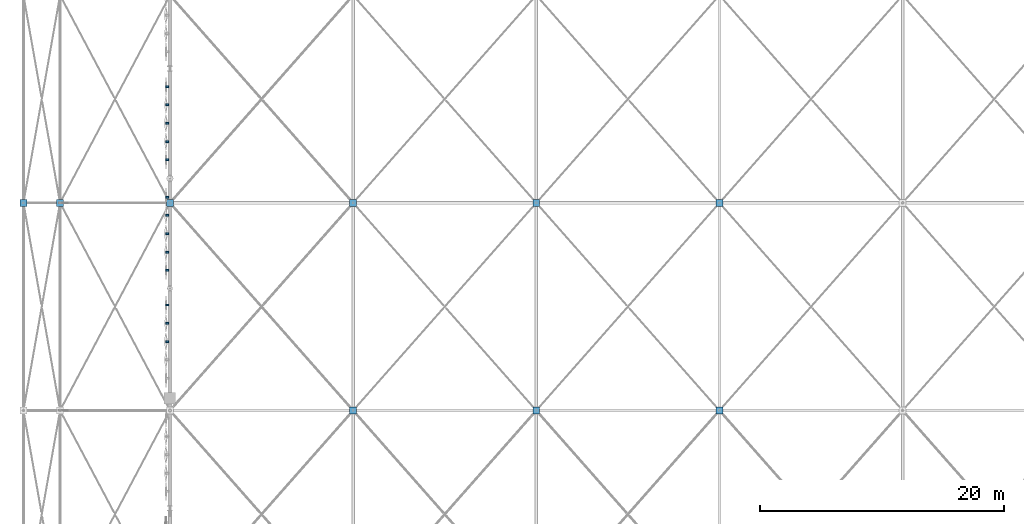
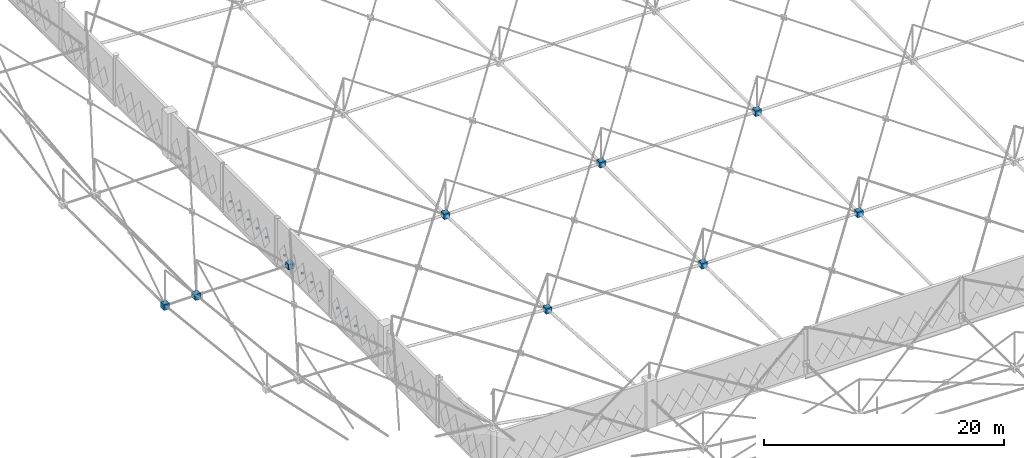
# One storey, part 205 of 224: 22 discrete accessories.
"""IFC4 building model written with IfcOpenShell, lengths in metres."""

from ifc_helpers import new_model, si_unit, direction, frame, origin, origin_2d, place, context, subcontext, project, spatial, rectangle, extrude, material, type_object, element, save


model = new_model("IFC4")

# Units and contexts
model_context = context("Model", 3, precision=1e-05, world=origin(), true_north=direction((0.0, 1.0)))
body_context = subcontext(model_context, "Body", "Model", "MODEL_VIEW")
ifc_project = project(units=[si_unit("LENGTHUNIT", "METRE"), si_unit("AREAUNIT", "SQUARE_METRE"), si_unit("VOLUMEUNIT", "CUBIC_METRE"), si_unit("PLANEANGLEUNIT", "RADIAN"), si_unit("MASSUNIT", "GRAM", prefix="KILO")], contexts=[model_context])

# Site, building, storey
site_placement = place(None, origin())
site = spatial("IfcSite", under=ifc_project, at=site_placement, CompositionType="ELEMENT")
building_placement = place(site_placement, origin())
building = spatial("IfcBuilding", under=site, at=building_placement, Name="Qamarlyn Nura Convention Centre", CompositionType="ELEMENT")
storey_placement = place(building_placement, frame((0.0, 0.0, 10.800048828125)))
storey = spatial("IfcBuildingStorey", under=building, at=storey_placement, Name="L02", CompositionType="ELEMENT", Elevation=10.800048828125)

# Discrete accessories
ifc_material_1 = material(Name="Pearl-white PVDF steel ASTM A500 Grade C", Category="steel")
discrete_accessory_type_1 = type_object("IfcDiscreteAccessoryType", Name="ACC-SF-NODE", PredefinedType="USERDEFINED", material=ifc_material_1)
for number, where, z_axis, x_axis, name in (
    (1, (-12.0, 52.0, 0.730712890625), (0.0, 0.0, 1.0), (1.0, 0.0, 0.0), "Cast space frame node BC-0-4"),
    (2, (-9.0, 52.0, 0.7255859375), (0.0, 0.0, 1.0), (1.0, 0.0, 0.0), "Cast space frame node BC-1-4"),
    (3, (0.0, 52.0, 0.6572265625), (0.0, 0.0, 1.0), (1.0, 0.0, 0.0), "Cast space frame node BC-2-4"),
    (4, (15.0, 35.0, 1.200439453125), (0.0, 0.0, 1.0), (1.0, 0.0, 0.0), "Cast space frame node BC-3-3"),
    (5, (15.0, 52.0, 0.521240234375), (0.0, 0.0, 1.0), (1.0, 0.0, 0.0), "Cast space frame node BC-3-4"),
    (6, (30.0, 35.0, 0.548828125), (0.0, 0.0, 1.0), (1.0, 0.0, 0.0), "Cast space frame node BC-4-3"),
    (7, (30.0, 52.0, 0.52001953125), (0.0, 0.0, 1.0), (1.0, 0.0, 0.0), "Cast space frame node BC-4-4"),
    (8, (45.0, 35.0, 0.52001953125), (0.0, 0.0, 1.0), (1.0, 0.0, 0.0), "Cast space frame node BC-5-3"),
    (9, (45.0, 52.0, 0.52001953125), (0.0, 0.0, 1.0), (1.0, 0.0, 0.0), "Cast space frame node BC-5-4"),
):
    element("IfcDiscreteAccessory", number, at=place(storey_placement, frame(where, z_axis=z_axis, x_axis=x_axis)), inside=storey, type_object=discrete_accessory_type_1, Name=name, ObjectType="SPACE FRAME NODE", PredefinedType="USERDEFINED", context=body_context, shape_type="SweptSolid", body=[
        extrude(rectangle(XDim=0.56005859375, YDim=0.56005859375, at=origin_2d()), origin(), (0.0, 0.0, 1.0), 0.56005859375),
    ])
ifc_material_2 = material(Name="Marine Grade 316 stainless steel", Category="steel")
discrete_accessory_type_2 = type_object("IfcDiscreteAccessoryType", Name="ACC-TILE-BRK", PredefinedType="BRACKET", material=ifc_material_2)
discrete_accessory_1_placement = place(storey_placement, frame((-0.2265625, 40.635986328125, 1.6201171875), z_axis=(0.0, 0.0, 1.0), x_axis=(-1.0, 0.0, 0.0)))
element("IfcDiscreteAccessory", 10, at=discrete_accessory_1_placement, inside=storey, type_object=discrete_accessory_type_2, Name="L02 diamond tile pivot bracket 0207", PredefinedType="BRACKET", context=body_context, shape_type="SweptSolid", body=[
    extrude(rectangle(XDim=0.23291015625, YDim=0.159912109375, at=origin_2d()), origin(), (0.0, 0.0, 1.0), 0.159912109375),
])
discrete_accessory_2_placement = place(storey_placement, frame((-0.224365234375, 42.135986328125, 1.6201171875), z_axis=(0.0, 0.0, 1.0), x_axis=(-1.0, 0.0, 0.0)))
element("IfcDiscreteAccessory", 11, at=discrete_accessory_2_placement, inside=storey, type_object=discrete_accessory_type_2, Name="L02 diamond tile pivot bracket 0208", PredefinedType="BRACKET", context=body_context, shape_type="SweptSolid", body=[
    extrude(rectangle(XDim=0.228515625, YDim=0.159912109375, at=origin_2d()), origin(), (0.0, 0.0, 1.0), 0.159912109375),
])
for number, where, z_axis, x_axis, name in (
    (12, (-0.218994140625, 43.635986328125, 1.6201171875), (0.0, 0.0, 1.0), (-1.0, 0.0, 0.0), "L02 diamond tile pivot bracket 0209"),
    (13, (-0.218994140625, 46.474609375, 1.6201171875), (0.0, 0.0, 1.0), (-1.0, 0.0, 0.0), "L02 diamond tile pivot bracket 0210"),
):
    element("IfcDiscreteAccessory", number, at=place(storey_placement, frame(where, z_axis=z_axis, x_axis=x_axis)), inside=storey, type_object=discrete_accessory_type_2, Name=name, PredefinedType="BRACKET", context=body_context, shape_type="SweptSolid", body=[
        extrude(rectangle(XDim=0.218017578125, YDim=0.159912109375, at=origin_2d()), origin(), (0.0, 0.0, 1.0), 0.159912109375),
    ])
discrete_accessory_3_placement = place(storey_placement, frame((-0.224365234375, 47.974609375, 1.6201171875), z_axis=(0.0, 0.0, 1.0), x_axis=(-1.0, 0.0, 0.0)))
element("IfcDiscreteAccessory", 14, at=discrete_accessory_3_placement, inside=storey, type_object=discrete_accessory_type_2, Name="L02 diamond tile pivot bracket 0211", PredefinedType="BRACKET", context=body_context, shape_type="SweptSolid", body=[
    extrude(rectangle(XDim=0.228515625, YDim=0.159912109375, at=origin_2d()), origin(), (0.0, 0.0, 1.0), 0.159912109375),
])
discrete_accessory_4_placement = place(storey_placement, frame((-0.2265625, 49.474609375, 1.6201171875), z_axis=(0.0, 0.0, 1.0), x_axis=(-1.0, 0.0, 0.0)))
element("IfcDiscreteAccessory", 15, at=discrete_accessory_4_placement, inside=storey, type_object=discrete_accessory_type_2, Name="L02 diamond tile pivot bracket 0212", PredefinedType="BRACKET", context=body_context, shape_type="SweptSolid", body=[
    extrude(rectangle(XDim=0.23291015625, YDim=0.159912109375, at=origin_2d()), origin(), (0.0, 0.0, 1.0), 0.159912109375),
])
discrete_accessory_5_placement = place(storey_placement, frame((-0.224365234375, 50.974609375, 1.6201171875), z_axis=(0.0, 0.0, 1.0), x_axis=(-1.0, 0.0, 0.0)))
element("IfcDiscreteAccessory", 16, at=discrete_accessory_5_placement, inside=storey, type_object=discrete_accessory_type_2, Name="L02 diamond tile pivot bracket 0213", PredefinedType="BRACKET", context=body_context, shape_type="SweptSolid", body=[
    extrude(rectangle(XDim=0.228515625, YDim=0.159912109375, at=origin_2d()), origin(), (0.0, 0.0, 1.0), 0.159912109375),
])
for number, where, z_axis, x_axis, name in (
    (17, (-0.218994140625, 52.474609375, 1.6201171875), (0.0, 0.0, 1.0), (-1.0, 0.0, 0.0), "L02 diamond tile pivot bracket 0214"),
    (18, (-0.218994140625, 55.520751953125, 1.6201171875), (0.0, 0.0, 1.0), (-1.0, 0.0, 0.0), "L02 diamond tile pivot bracket 0215"),
):
    element("IfcDiscreteAccessory", number, at=place(storey_placement, frame(where, z_axis=z_axis, x_axis=x_axis)), inside=storey, type_object=discrete_accessory_type_2, Name=name, PredefinedType="BRACKET", context=body_context, shape_type="SweptSolid", body=[
        extrude(rectangle(XDim=0.218017578125, YDim=0.159912109375, at=origin_2d()), origin(), (0.0, 0.0, 1.0), 0.159912109375),
    ])
discrete_accessory_6_placement = place(storey_placement, frame((-0.224365234375, 57.020751953125, 1.6201171875), z_axis=(0.0, 0.0, 1.0), x_axis=(-1.0, 0.0, 0.0)))
element("IfcDiscreteAccessory", 19, at=discrete_accessory_6_placement, inside=storey, type_object=discrete_accessory_type_2, Name="L02 diamond tile pivot bracket 0216", PredefinedType="BRACKET", context=body_context, shape_type="SweptSolid", body=[
    extrude(rectangle(XDim=0.228515625, YDim=0.159912109375, at=origin_2d()), origin(), (0.0, 0.0, 1.0), 0.159912109375),
])
discrete_accessory_7_placement = place(storey_placement, frame((-0.2265625, 58.520751953125, 1.6201171875), z_axis=(0.0, 0.0, 1.0), x_axis=(-1.0, 0.0, 0.0)))
element("IfcDiscreteAccessory", 20, at=discrete_accessory_7_placement, inside=storey, type_object=discrete_accessory_type_2, Name="L02 diamond tile pivot bracket 0217", PredefinedType="BRACKET", context=body_context, shape_type="SweptSolid", body=[
    extrude(rectangle(XDim=0.23291015625, YDim=0.159912109375, at=origin_2d()), origin(), (0.0, 0.0, 1.0), 0.159912109375),
])
discrete_accessory_8_placement = place(storey_placement, frame((-0.224365234375, 60.020751953125, 1.6201171875), z_axis=(0.0, 0.0, 1.0), x_axis=(-1.0, 0.0, 0.0)))
element("IfcDiscreteAccessory", 21, at=discrete_accessory_8_placement, inside=storey, type_object=discrete_accessory_type_2, Name="L02 diamond tile pivot bracket 0218", PredefinedType="BRACKET", context=body_context, shape_type="SweptSolid", body=[
    extrude(rectangle(XDim=0.228515625, YDim=0.159912109375, at=origin_2d()), origin(), (0.0, 0.0, 1.0), 0.159912109375),
])
discrete_accessory_9_placement = place(storey_placement, frame((-0.218994140625, 61.520751953125, 1.6201171875), z_axis=(0.0, 0.0, 1.0), x_axis=(-1.0, 0.0, 0.0)))
element("IfcDiscreteAccessory", 22, at=discrete_accessory_9_placement, inside=storey, type_object=discrete_accessory_type_2, Name="L02 diamond tile pivot bracket 0219", PredefinedType="BRACKET", context=body_context, shape_type="SweptSolid", body=[
    extrude(rectangle(XDim=0.218017578125, YDim=0.159912109375, at=origin_2d()), origin(), (0.0, 0.0, 1.0), 0.159912109375),
])

save(model, "model.ifc")
